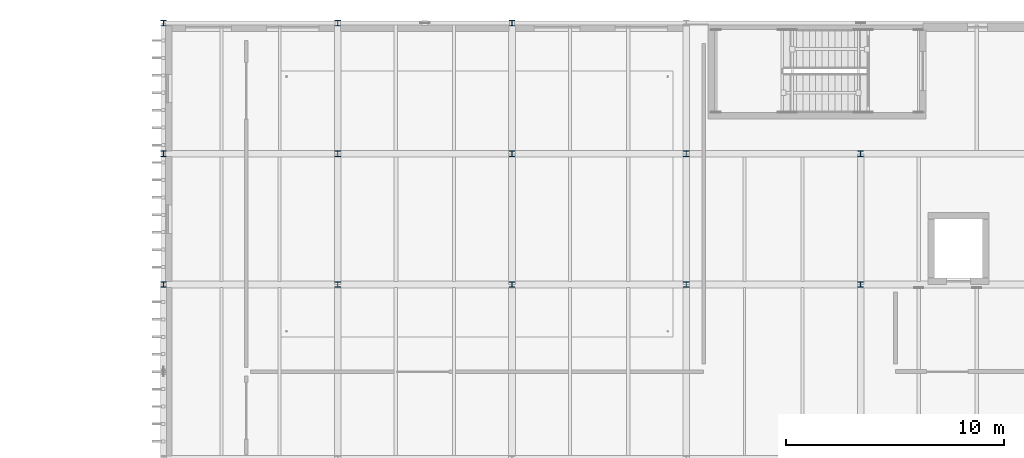
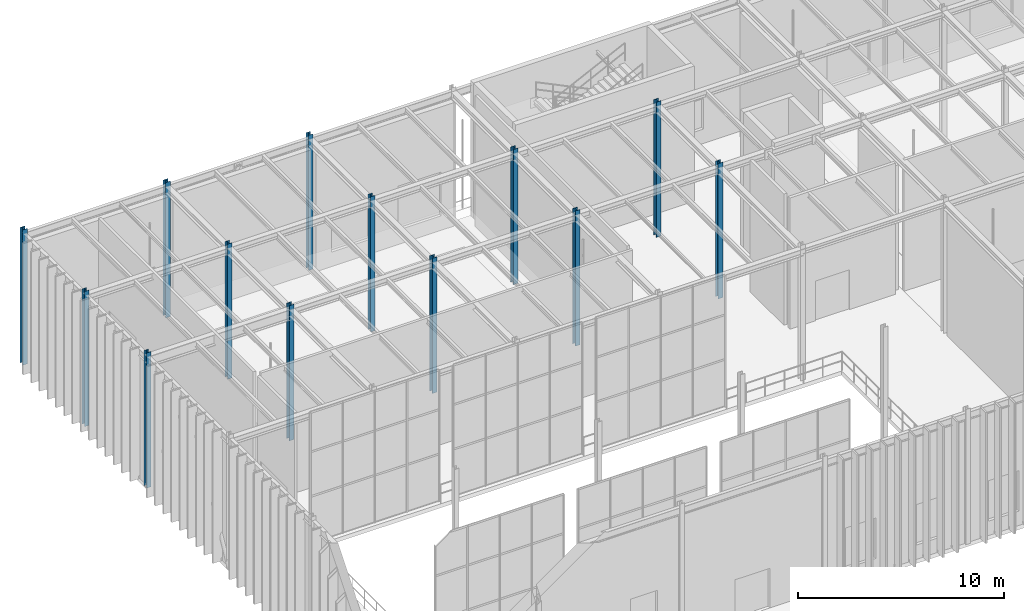
# One storey, part 9 of 138: 13 columns.
"""IFC4 building model written with IfcOpenShell, lengths in metres."""

from ifc_helpers import new_model, si_unit, direction, frame, origin, origin_2d, place, context, subcontext, project, spatial, i_section, extrude, material, material_profile, profile_set, type_object, element, save


model = new_model("IFC4")

# Units and contexts
model_context = context("Model", 3, precision=1e-05, world=origin(), true_north=direction((0.0, 1.0)))
body_context = subcontext(model_context, "Body", "Model", "MODEL_VIEW")
ifc_project = project(units=[si_unit("LENGTHUNIT", "METRE"), si_unit("AREAUNIT", "SQUARE_METRE"), si_unit("VOLUMEUNIT", "CUBIC_METRE"), si_unit("PLANEANGLEUNIT", "RADIAN"), si_unit("MASSUNIT", "GRAM", prefix="KILO")], contexts=[model_context])

# Site, building, storey
site_placement = place(None, origin())
site = spatial("IfcSite", under=ifc_project, at=site_placement, CompositionType="ELEMENT")
building_placement = place(site_placement, origin())
building = spatial("IfcBuilding", under=site, at=building_placement, Name="Sundkrona Museum", CompositionType="ELEMENT")
storey_placement = place(building_placement, frame((0.0, 0.0, 9.60009765625)))
storey = spatial("IfcBuildingStorey", under=building, at=storey_placement, Name="L02", CompositionType="ELEMENT", Elevation=9.60009765625)

# Columns
ifc_material = material(Name="Steel S355J2", Category="steel")
ifc_material_profile = material_profile(ifc_material, i_section(OverallWidth=0.260009765625, OverallDepth=0.260009765625, WebThickness=0.010009765625, FlangeThickness=0.017578125, FilletRadius=0.02392578125, at=origin_2d()), Name="HEB 260")
ifc_profile_set = profile_set([ifc_material_profile], Name="Steel S355J2")
column_type = type_object("IfcColumnType", Name="C-HEB260", PredefinedType="COLUMN", material=ifc_profile_set)
for number, where, z_axis, x_axis, name in (
    (1, (16.0, 102.0, 0.0), (0.0, 0.0, 1.0), (1.0, 0.0, 0.0), "L02 Column P/3"),
    (2, (16.0, 108.0, 0.0), (0.0, 0.0, 1.0), (1.0, 0.0, 0.0), "L02 Column Q/3"),
    (3, (16.0, 114.0, 0.0), (0.0, 0.0, 1.0), (1.0, 0.0, 0.0), "L02 Column R/3"),
    (4, (24.0, 102.0, 0.0), (0.0, 0.0, 1.0), (1.0, 0.0, 0.0), "L02 Column P/4"),
    (5, (24.0, 108.0, 0.0), (0.0, 0.0, 1.0), (1.0, 0.0, 0.0), "L02 Column Q/4"),
    (6, (24.0, 114.0, 0.0), (0.0, 0.0, 1.0), (1.0, 0.0, 0.0), "L02 Column R/4"),
    (7, (32.0, 102.0, 0.0), (0.0, 0.0, 1.0), (1.0, 0.0, 0.0), "L02 Column P/5"),
    (8, (32.0, 108.0, 0.0), (0.0, 0.0, 1.0), (1.0, 0.0, 0.0), "L02 Column Q/5"),
    (9, (32.0, 114.0, 0.0), (0.0, 0.0, 1.0), (1.0, 0.0, 0.0), "L02 Column R/5"),
    (10, (40.0, 102.0, 0.0), (0.0, 0.0, 1.0), (1.0, 0.0, 0.0), "L02 Column P/6"),
    (11, (40.0, 108.0, 0.0), (0.0, 0.0, 1.0), (1.0, 0.0, 0.0), "L02 Column Q/6"),
    (12, (48.0, 102.0, 0.0), (0.0, 0.0, 1.0), (1.0, 0.0, 0.0), "L02 Column P/7"),
    (13, (48.0, 108.0, 0.0), (0.0, 0.0, 1.0), (1.0, 0.0, 0.0), "L02 Column Q/7"),
):
    element("IfcColumn", number, at=place(storey_placement, frame(where, z_axis=z_axis, x_axis=x_axis)), inside=storey, type_object=column_type, Name=name, PredefinedType="COLUMN", context=body_context, shape_type="SweptSolid", body=[
        extrude(i_section(OverallWidth=0.260009765625, OverallDepth=0.260009765625, WebThickness=0.010009765625, FlangeThickness=0.017578125, FilletRadius=0.02392578125, at=origin_2d()), origin(), (0.0, 0.0, 1.0), 8.0),
    ])

save(model, "model.ifc")
